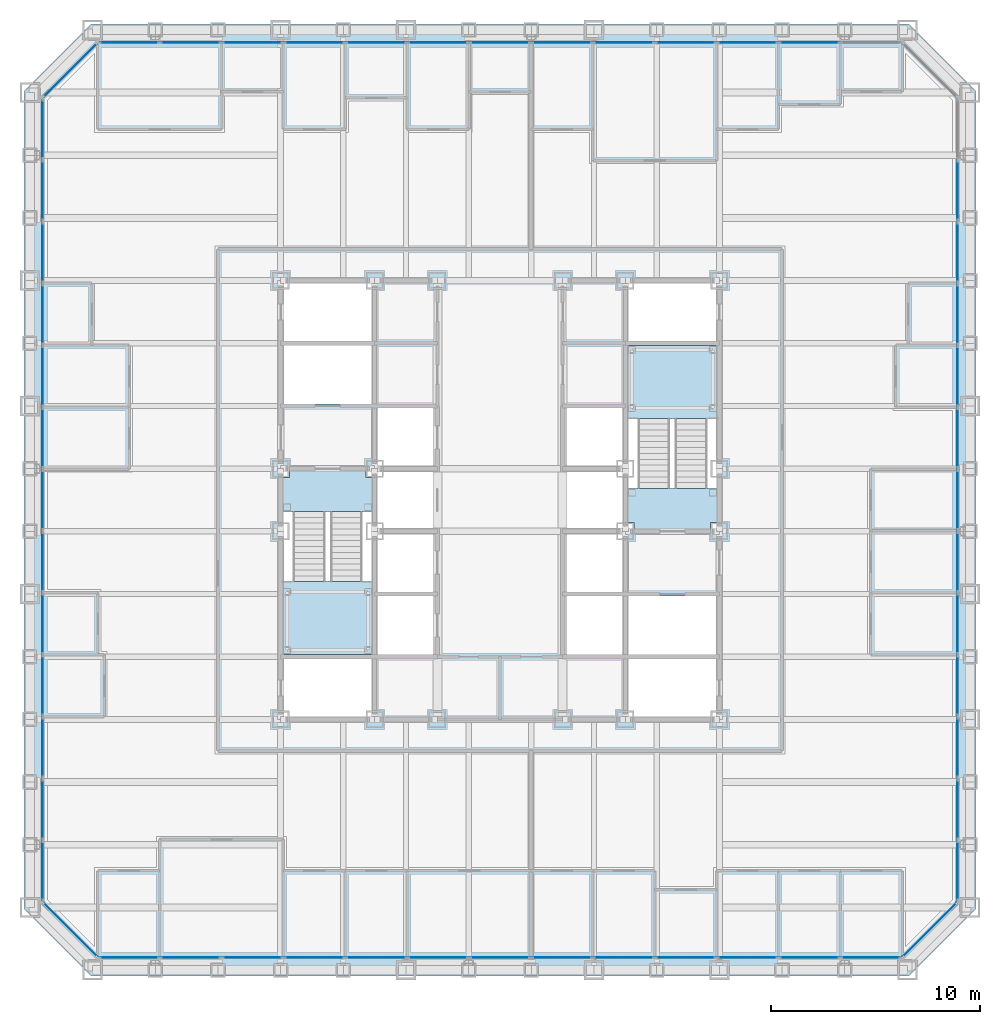
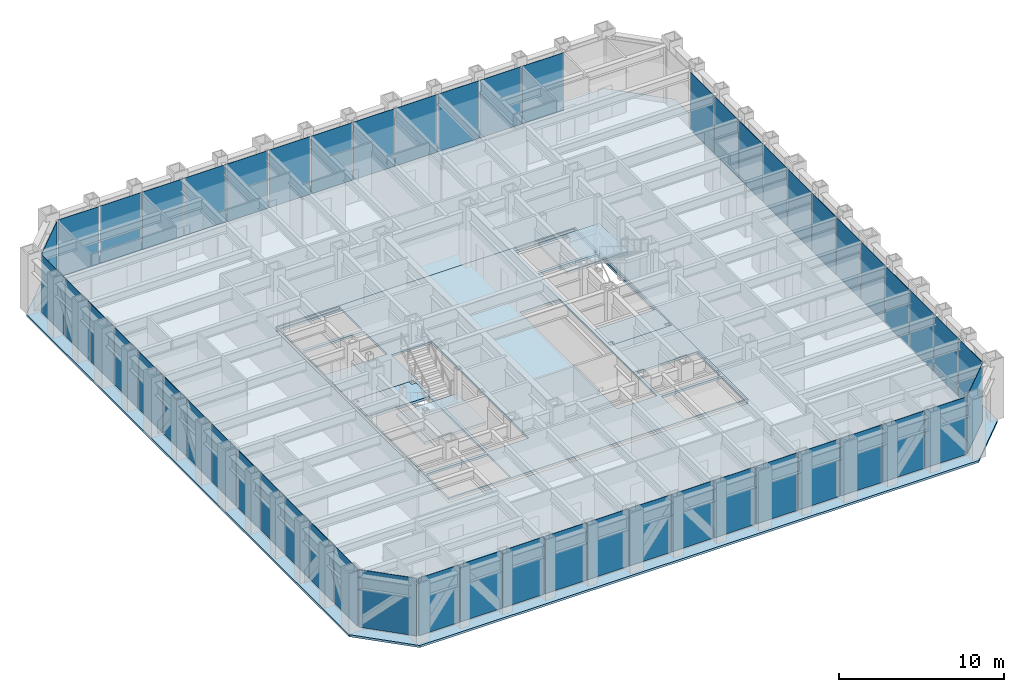
# One storey, part 7 of 16: 53 plates, 6 slabs, 9 elements without a shape of their own.
"""IFC4 building model written with IfcOpenShell, lengths in metres."""

from ifc_helpers import new_model, si_unit, direction, frame, origin, origin_2d, place, context, subcontext, project, spatial, polyline, rectangle, outline, extrude, material, layer, layer_set, type_object, element, aggregate, save


model = new_model("IFC4")

# Units and contexts
model_context = context("Model", 3, precision=1e-05, world=origin(), true_north=direction((0.0, 1.0)))
body_context = subcontext(model_context, "Body", "Model", "MODEL_VIEW")
ifc_project = project(units=[si_unit("LENGTHUNIT", "METRE"), si_unit("AREAUNIT", "SQUARE_METRE"), si_unit("VOLUMEUNIT", "CUBIC_METRE"), si_unit("PLANEANGLEUNIT", "RADIAN"), si_unit("MASSUNIT", "GRAM", prefix="KILO")], contexts=[model_context])

# Site, building, storey
site_placement = place(None, origin())
site = spatial("IfcSite", under=ifc_project, at=site_placement, CompositionType="ELEMENT")
building_placement = place(site_placement, origin())
building = spatial("IfcBuilding", under=site, at=building_placement, Name="Chuquiago Exchange Tower", CompositionType="ELEMENT")
storey_placement = place(building_placement, frame((0.0, 0.0, 51.300048828125)))
storey = spatial("IfcBuildingStorey", under=building, at=storey_placement, Name="L10", CompositionType="ELEMENT", Elevation=51.300048828125)

# Curtain wall, plates
ifc_material_1 = material(Name="Aluminium curtain wall system", Category="aluminium")
ifc_layer_1 = layer(ifc_material_1, 0.25)
ifc_layer_set_1 = layer_set([ifc_layer_1], Name="CW1 trading floor curtain wall")
curtain_wall_type_1 = type_object("IfcCurtainWallType", Name="CW1 trading floor curtain wall", PredefinedType="NOTDEFINED", material=ifc_layer_set_1)
curtain_wall_1_placement = place(storey_placement, origin())
curtain_wall_1 = element("IfcCurtainWall", 1, at=curtain_wall_1_placement, inside=storey, type_object=curtain_wall_type_1, Name="CW1 curtain wall L10", PredefinedType="NOTDEFINED")
ifc_material_2 = material(Name="Glass, insulating unit", Category="glass")
ifc_layer_2 = layer(ifc_material_2, 0.031982421875)
ifc_layer_set_2 = layer_set([ifc_layer_2], Name="CW1-P panel 32")
plate_type_1 = type_object("IfcPlateType", Name="CW1-P panel 32", PredefinedType="CURTAIN_PANEL", material=ifc_layer_set_2)
plate_1_placement = place(storey_placement, frame((10.65283203125, 0.60009765625, -0.22509765625), z_axis=(0.0, 0.0, 1.0), x_axis=(1.0, 0.0, 0.0)))
plate_1 = element("IfcPlate", 2, at=plate_1_placement, type_object=plate_type_1, Name="CW1 panel 3.1", PredefinedType="CURTAIN_PANEL", context=body_context, shape_type="SweptSolid", body=[
    extrude(rectangle(XDim=2.88671875, YDim=0.031982421875, at=origin_2d()), origin(), (0.0, 0.0, 1.0), 4.264892578125),
])
plate_2_placement = place(storey_placement, frame((13.61474609375, 0.60009765625, -0.22509765625), z_axis=(0.0, 0.0, 1.0), x_axis=(1.0, 0.0, 0.0)))
plate_2 = element("IfcPlate", 3, at=plate_2_placement, type_object=plate_type_1, Name="CW1 panel 4.1", PredefinedType="CURTAIN_PANEL", context=body_context, shape_type="SweptSolid", body=[
    extrude(rectangle(XDim=2.88671875, YDim=0.031982421875, at=origin_2d()), origin(), (0.0, 0.0, 1.0), 4.264892578125),
])
plate_3_placement = place(storey_placement, frame((16.576416015625, 0.60009765625, -0.22509765625), z_axis=(0.0, 0.0, 1.0), x_axis=(1.0, 0.0, 0.0)))
plate_3 = element("IfcPlate", 4, at=plate_3_placement, type_object=plate_type_1, Name="CW1 panel 5.1", PredefinedType="CURTAIN_PANEL", context=body_context, shape_type="SweptSolid", body=[
    extrude(rectangle(XDim=2.88671875, YDim=0.031982421875, at=origin_2d()), origin(), (0.0, 0.0, 1.0), 4.264892578125),
])
plate_4_placement = place(storey_placement, frame((25.461669921875, 0.60009765625, -0.22509765625), z_axis=(0.0, 0.0, 1.0), x_axis=(1.0, 0.0, 0.0)))
plate_4 = element("IfcPlate", 5, at=plate_4_placement, type_object=plate_type_1, Name="CW1 panel 8.1", PredefinedType="CURTAIN_PANEL", context=body_context, shape_type="SweptSolid", body=[
    extrude(rectangle(XDim=2.88671875, YDim=0.031982421875, at=origin_2d()), origin(), (0.0, 0.0, 1.0), 4.264892578125),
])
plate_5_placement = place(storey_placement, frame((28.423583984375, 0.60009765625, -0.22509765625), z_axis=(0.0, 0.0, 1.0), x_axis=(1.0, 0.0, 0.0)))
plate_5 = element("IfcPlate", 6, at=plate_5_placement, type_object=plate_type_1, Name="CW1 panel 9.1", PredefinedType="CURTAIN_PANEL", context=body_context, shape_type="SweptSolid", body=[
    extrude(rectangle(XDim=2.88671875, YDim=0.031982421875, at=origin_2d()), origin(), (0.0, 0.0, 1.0), 4.264892578125),
])
plate_6_placement = place(storey_placement, frame((31.38525390625, 0.60009765625, -0.22509765625), z_axis=(0.0, 0.0, 1.0), x_axis=(1.0, 0.0, 0.0)))
plate_6 = element("IfcPlate", 7, at=plate_6_placement, type_object=plate_type_1, Name="CW1 panel 10.1", PredefinedType="CURTAIN_PANEL", context=body_context, shape_type="SweptSolid", body=[
    extrude(rectangle(XDim=2.88671875, YDim=0.031982421875, at=origin_2d()), origin(), (0.0, 0.0, 1.0), 4.264892578125),
])
plate_7_placement = place(storey_placement, frame((34.34716796875, 0.60009765625, -0.22509765625), z_axis=(0.0, 0.0, 1.0), x_axis=(1.0, 0.0, 0.0)))
plate_7 = element("IfcPlate", 8, at=plate_7_placement, type_object=plate_type_1, Name="CW1 panel 11.1", PredefinedType="CURTAIN_PANEL", context=body_context, shape_type="SweptSolid", body=[
    extrude(rectangle(XDim=2.88671875, YDim=0.031982421875, at=origin_2d()), origin(), (0.0, 0.0, 1.0), 4.264892578125),
])

curtain_wall_2_placement = place(storey_placement, origin())
curtain_wall_2 = element("IfcCurtainWall", 9, at=curtain_wall_2_placement, inside=storey, type_object=curtain_wall_type_1, Name="CW1 curtain wall L10", PredefinedType="NOTDEFINED")
plate_8_placement = place(storey_placement, frame((44.39990234375, 10.65283203125, -0.22509765625), z_axis=(0.0, 0.0, 1.0), x_axis=(0.0, 1.0, 0.0)))
plate_8 = element("IfcPlate", 10, at=plate_8_placement, type_object=plate_type_1, Name="CW1 panel 3.1", PredefinedType="CURTAIN_PANEL", context=body_context, shape_type="SweptSolid", body=[
    extrude(rectangle(XDim=2.88671875, YDim=0.031982421875, at=origin_2d()), origin(), (0.0, 0.0, 1.0), 4.264892578125),
])
plate_9_placement = place(storey_placement, frame((44.39990234375, 13.61474609375, -0.22509765625), z_axis=(0.0, 0.0, 1.0), x_axis=(0.0, 1.0, 0.0)))
plate_9 = element("IfcPlate", 11, at=plate_9_placement, type_object=plate_type_1, Name="CW1 panel 4.1", PredefinedType="CURTAIN_PANEL", context=body_context, shape_type="SweptSolid", body=[
    extrude(rectangle(XDim=2.88671875, YDim=0.031982421875, at=origin_2d()), origin(), (0.0, 0.0, 1.0), 4.264892578125),
])
plate_10_placement = place(storey_placement, frame((44.39990234375, 16.576416015625, -0.22509765625), z_axis=(0.0, 0.0, 1.0), x_axis=(0.0, 1.0, 0.0)))
plate_10 = element("IfcPlate", 12, at=plate_10_placement, type_object=plate_type_1, Name="CW1 panel 5.1", PredefinedType="CURTAIN_PANEL", context=body_context, shape_type="SweptSolid", body=[
    extrude(rectangle(XDim=2.88671875, YDim=0.031982421875, at=origin_2d()), origin(), (0.0, 0.0, 1.0), 4.264892578125),
])
plate_11_placement = place(storey_placement, frame((44.39990234375, 25.461669921875, -0.22509765625), z_axis=(0.0, 0.0, 1.0), x_axis=(0.0, 1.0, 0.0)))
plate_11 = element("IfcPlate", 13, at=plate_11_placement, type_object=plate_type_1, Name="CW1 panel 8.1", PredefinedType="CURTAIN_PANEL", context=body_context, shape_type="SweptSolid", body=[
    extrude(rectangle(XDim=2.88671875, YDim=0.031982421875, at=origin_2d()), origin(), (0.0, 0.0, 1.0), 4.264892578125),
])
plate_12_placement = place(storey_placement, frame((44.39990234375, 28.423583984375, -0.22509765625), z_axis=(0.0, 0.0, 1.0), x_axis=(0.0, 1.0, 0.0)))
plate_12 = element("IfcPlate", 14, at=plate_12_placement, type_object=plate_type_1, Name="CW1 panel 9.1", PredefinedType="CURTAIN_PANEL", context=body_context, shape_type="SweptSolid", body=[
    extrude(rectangle(XDim=2.88671875, YDim=0.031982421875, at=origin_2d()), origin(), (0.0, 0.0, 1.0), 4.264892578125),
])
plate_13_placement = place(storey_placement, frame((44.39990234375, 31.38525390625, -0.22509765625), z_axis=(0.0, 0.0, 1.0), x_axis=(0.0, 1.0, 0.0)))
plate_13 = element("IfcPlate", 15, at=plate_13_placement, type_object=plate_type_1, Name="CW1 panel 10.1", PredefinedType="CURTAIN_PANEL", context=body_context, shape_type="SweptSolid", body=[
    extrude(rectangle(XDim=2.88671875, YDim=0.031982421875, at=origin_2d()), origin(), (0.0, 0.0, 1.0), 4.264892578125),
])
plate_14_placement = place(storey_placement, frame((44.39990234375, 34.34716796875, -0.22509765625), z_axis=(0.0, 0.0, 1.0), x_axis=(0.0, 1.0, 0.0)))
plate_14 = element("IfcPlate", 16, at=plate_14_placement, type_object=plate_type_1, Name="CW1 panel 11.1", PredefinedType="CURTAIN_PANEL", context=body_context, shape_type="SweptSolid", body=[
    extrude(rectangle(XDim=2.88671875, YDim=0.031982421875, at=origin_2d()), origin(), (0.0, 0.0, 1.0), 4.264892578125),
])

curtain_wall_3_placement = place(storey_placement, origin())
curtain_wall_3 = element("IfcCurtainWall", 17, at=curtain_wall_3_placement, inside=storey, type_object=curtain_wall_type_1, Name="CW1 curtain wall L10", PredefinedType="NOTDEFINED")
plate_15_placement = place(storey_placement, frame((34.34716796875, 44.39990234375, -0.22509765625), z_axis=(0.0, 0.0, 1.0), x_axis=(-1.0, 0.0, 0.0)))
plate_15 = element("IfcPlate", 18, at=plate_15_placement, type_object=plate_type_1, Name="CW1 panel 3.1", PredefinedType="CURTAIN_PANEL", context=body_context, shape_type="SweptSolid", body=[
    extrude(rectangle(XDim=2.88671875, YDim=0.031982421875, at=origin_2d()), origin(), (0.0, 0.0, 1.0), 4.264892578125),
])
plate_16_placement = place(storey_placement, frame((31.38525390625, 44.39990234375, -0.22509765625), z_axis=(0.0, 0.0, 1.0), x_axis=(-1.0, 0.0, 0.0)))
plate_16 = element("IfcPlate", 19, at=plate_16_placement, type_object=plate_type_1, Name="CW1 panel 4.1", PredefinedType="CURTAIN_PANEL", context=body_context, shape_type="SweptSolid", body=[
    extrude(rectangle(XDim=2.88671875, YDim=0.031982421875, at=origin_2d()), origin(), (0.0, 0.0, 1.0), 4.264892578125),
])
plate_17_placement = place(storey_placement, frame((28.423583984375, 44.39990234375, -0.22509765625), z_axis=(0.0, 0.0, 1.0), x_axis=(-1.0, 0.0, 0.0)))
plate_17 = element("IfcPlate", 20, at=plate_17_placement, type_object=plate_type_1, Name="CW1 panel 5.1", PredefinedType="CURTAIN_PANEL", context=body_context, shape_type="SweptSolid", body=[
    extrude(rectangle(XDim=2.88671875, YDim=0.031982421875, at=origin_2d()), origin(), (0.0, 0.0, 1.0), 4.264892578125),
])
plate_18_placement = place(storey_placement, frame((19.538330078125, 44.39990234375, -0.22509765625), z_axis=(0.0, 0.0, 1.0), x_axis=(-1.0, 0.0, 0.0)))
plate_18 = element("IfcPlate", 21, at=plate_18_placement, type_object=plate_type_1, Name="CW1 panel 8.1", PredefinedType="CURTAIN_PANEL", context=body_context, shape_type="SweptSolid", body=[
    extrude(rectangle(XDim=2.88671875, YDim=0.031982421875, at=origin_2d()), origin(), (0.0, 0.0, 1.0), 4.264892578125),
])
plate_19_placement = place(storey_placement, frame((16.576416015625, 44.39990234375, -0.22509765625), z_axis=(0.0, 0.0, 1.0), x_axis=(-1.0, 0.0, 0.0)))
plate_19 = element("IfcPlate", 22, at=plate_19_placement, type_object=plate_type_1, Name="CW1 panel 9.1", PredefinedType="CURTAIN_PANEL", context=body_context, shape_type="SweptSolid", body=[
    extrude(rectangle(XDim=2.88671875, YDim=0.031982421875, at=origin_2d()), origin(), (0.0, 0.0, 1.0), 4.264892578125),
])
plate_20_placement = place(storey_placement, frame((13.61474609375, 44.39990234375, -0.22509765625), z_axis=(0.0, 0.0, 1.0), x_axis=(-1.0, 0.0, 0.0)))
plate_20 = element("IfcPlate", 23, at=plate_20_placement, type_object=plate_type_1, Name="CW1 panel 10.1", PredefinedType="CURTAIN_PANEL", context=body_context, shape_type="SweptSolid", body=[
    extrude(rectangle(XDim=2.88671875, YDim=0.031982421875, at=origin_2d()), origin(), (0.0, 0.0, 1.0), 4.264892578125),
])
plate_21_placement = place(storey_placement, frame((10.65283203125, 44.39990234375, -0.22509765625), z_axis=(0.0, 0.0, 1.0), x_axis=(-1.0, 0.0, 0.0)))
plate_21 = element("IfcPlate", 24, at=plate_21_placement, type_object=plate_type_1, Name="CW1 panel 11.1", PredefinedType="CURTAIN_PANEL", context=body_context, shape_type="SweptSolid", body=[
    extrude(rectangle(XDim=2.88671875, YDim=0.031982421875, at=origin_2d()), origin(), (0.0, 0.0, 1.0), 4.264892578125),
])

curtain_wall_4_placement = place(storey_placement, origin())
curtain_wall_4 = element("IfcCurtainWall", 25, at=curtain_wall_4_placement, inside=storey, type_object=curtain_wall_type_1, Name="CW1 curtain wall L10", PredefinedType="NOTDEFINED")
plate_22_placement = place(storey_placement, frame((0.60009765625, 34.34716796875, -0.22509765625), z_axis=(0.0, 0.0, 1.0), x_axis=(0.0, -1.0, 0.0)))
plate_22 = element("IfcPlate", 26, at=plate_22_placement, type_object=plate_type_1, Name="CW1 panel 3.1", PredefinedType="CURTAIN_PANEL", context=body_context, shape_type="SweptSolid", body=[
    extrude(rectangle(XDim=2.88671875, YDim=0.031982421875, at=origin_2d()), origin(), (0.0, 0.0, 1.0), 4.264892578125),
])
plate_23_placement = place(storey_placement, frame((0.60009765625, 31.38525390625, -0.22509765625), z_axis=(0.0, 0.0, 1.0), x_axis=(0.0, -1.0, 0.0)))
plate_23 = element("IfcPlate", 27, at=plate_23_placement, type_object=plate_type_1, Name="CW1 panel 4.1", PredefinedType="CURTAIN_PANEL", context=body_context, shape_type="SweptSolid", body=[
    extrude(rectangle(XDim=2.88671875, YDim=0.031982421875, at=origin_2d()), origin(), (0.0, 0.0, 1.0), 4.264892578125),
])
plate_24_placement = place(storey_placement, frame((0.60009765625, 28.423583984375, -0.22509765625), z_axis=(0.0, 0.0, 1.0), x_axis=(0.0, -1.0, 0.0)))
plate_24 = element("IfcPlate", 28, at=plate_24_placement, type_object=plate_type_1, Name="CW1 panel 5.1", PredefinedType="CURTAIN_PANEL", context=body_context, shape_type="SweptSolid", body=[
    extrude(rectangle(XDim=2.88671875, YDim=0.031982421875, at=origin_2d()), origin(), (0.0, 0.0, 1.0), 4.264892578125),
])
plate_25_placement = place(storey_placement, frame((0.60009765625, 19.538330078125, -0.22509765625), z_axis=(0.0, 0.0, 1.0), x_axis=(0.0, -1.0, 0.0)))
plate_25 = element("IfcPlate", 29, at=plate_25_placement, type_object=plate_type_1, Name="CW1 panel 8.1", PredefinedType="CURTAIN_PANEL", context=body_context, shape_type="SweptSolid", body=[
    extrude(rectangle(XDim=2.88671875, YDim=0.031982421875, at=origin_2d()), origin(), (0.0, 0.0, 1.0), 4.264892578125),
])
plate_26_placement = place(storey_placement, frame((0.60009765625, 16.576416015625, -0.22509765625), z_axis=(0.0, 0.0, 1.0), x_axis=(0.0, -1.0, 0.0)))
plate_26 = element("IfcPlate", 30, at=plate_26_placement, type_object=plate_type_1, Name="CW1 panel 9.1", PredefinedType="CURTAIN_PANEL", context=body_context, shape_type="SweptSolid", body=[
    extrude(rectangle(XDim=2.88671875, YDim=0.031982421875, at=origin_2d()), origin(), (0.0, 0.0, 1.0), 4.264892578125),
])
plate_27_placement = place(storey_placement, frame((0.60009765625, 13.61474609375, -0.22509765625), z_axis=(0.0, 0.0, 1.0), x_axis=(0.0, -1.0, 0.0)))
plate_27 = element("IfcPlate", 31, at=plate_27_placement, type_object=plate_type_1, Name="CW1 panel 10.1", PredefinedType="CURTAIN_PANEL", context=body_context, shape_type="SweptSolid", body=[
    extrude(rectangle(XDim=2.88671875, YDim=0.031982421875, at=origin_2d()), origin(), (0.0, 0.0, 1.0), 4.264892578125),
])
plate_28_placement = place(storey_placement, frame((0.60009765625, 10.65283203125, -0.22509765625), z_axis=(0.0, 0.0, 1.0), x_axis=(0.0, -1.0, 0.0)))
plate_28 = element("IfcPlate", 32, at=plate_28_placement, type_object=plate_type_1, Name="CW1 panel 11.1", PredefinedType="CURTAIN_PANEL", context=body_context, shape_type="SweptSolid", body=[
    extrude(rectangle(XDim=2.88671875, YDim=0.031982421875, at=origin_2d()), origin(), (0.0, 0.0, 1.0), 4.264892578125),
])

# Plate
ifc_material_3 = material(Name="Insulated spandrel panel, pale anodised aluminium", Category="aluminium")
ifc_layer_3 = layer(ifc_material_3, 0.031982421875)
ifc_layer_set_3 = layer_set([ifc_layer_3], Name="CW1-P spandrel panel 32")
plate_type_2 = type_object("IfcPlateType", Name="CW1-P spandrel panel 32", PredefinedType="CURTAIN_PANEL", material=ifc_layer_set_3)
plate_29_placement = place(storey_placement, frame((4.748046875, 0.60009765625, -0.22509765625), z_axis=(0.0, 0.0, 1.0), x_axis=(1.0, 0.0, 0.0)))
plate_29 = element("IfcPlate", 33, at=plate_29_placement, type_object=plate_type_2, Name="CW1 panel 1.1", PredefinedType="CURTAIN_PANEL", context=body_context, shape_type="SweptSolid", body=[
    extrude(rectangle(XDim=2.849365234375, YDim=0.031982421875, at=origin_2d()), origin(), (0.0, 0.0, 1.0), 4.264892578125),
])

plate_30_placement = place(storey_placement, frame((7.691162109375, 0.60009765625, -0.22509765625), z_axis=(0.0, 0.0, 1.0), x_axis=(1.0, 0.0, 0.0)))
plate_30 = element("IfcPlate", 34, at=plate_30_placement, type_object=plate_type_2, Name="CW1 panel 2.1", PredefinedType="CURTAIN_PANEL", context=body_context, shape_type="SweptSolid", body=[
    extrude(rectangle(XDim=2.88671875, YDim=0.031982421875, at=origin_2d()), origin(), (0.0, 0.0, 1.0), 4.264892578125),
])

plate_31_placement = place(storey_placement, frame((19.538330078125, 0.60009765625, -0.22509765625), z_axis=(0.0, 0.0, 1.0), x_axis=(1.0, 0.0, 0.0)))
plate_31 = element("IfcPlate", 35, at=plate_31_placement, type_object=plate_type_2, Name="CW1 panel 6.1", PredefinedType="CURTAIN_PANEL", context=body_context, shape_type="SweptSolid", body=[
    extrude(rectangle(XDim=2.88671875, YDim=0.031982421875, at=origin_2d()), origin(), (0.0, 0.0, 1.0), 4.264892578125),
])

plate_32_placement = place(storey_placement, frame((22.5, 0.60009765625, -0.22509765625), z_axis=(0.0, 0.0, 1.0), x_axis=(1.0, 0.0, 0.0)))
plate_32 = element("IfcPlate", 36, at=plate_32_placement, type_object=plate_type_2, Name="CW1 panel 7.1", PredefinedType="CURTAIN_PANEL", context=body_context, shape_type="SweptSolid", body=[
    extrude(rectangle(XDim=2.88671875, YDim=0.031982421875, at=origin_2d()), origin(), (0.0, 0.0, 1.0), 4.264892578125),
])

plate_33_placement = place(storey_placement, frame((37.308837890625, 0.60009765625, -0.22509765625), z_axis=(0.0, 0.0, 1.0), x_axis=(1.0, 0.0, 0.0)))
plate_33 = element("IfcPlate", 37, at=plate_33_placement, type_object=plate_type_2, Name="CW1 panel 12.1", PredefinedType="CURTAIN_PANEL", context=body_context, shape_type="SweptSolid", body=[
    extrude(rectangle(XDim=2.88671875, YDim=0.031982421875, at=origin_2d()), origin(), (0.0, 0.0, 1.0), 4.264892578125),
])

plate_34_placement = place(storey_placement, frame((40.251953125, 0.60009765625, -0.22509765625), z_axis=(0.0, 0.0, 1.0), x_axis=(1.0, 0.0, 0.0)))
plate_34 = element("IfcPlate", 38, at=plate_34_placement, type_object=plate_type_2, Name="CW1 panel 13.1", PredefinedType="CURTAIN_PANEL", context=body_context, shape_type="SweptSolid", body=[
    extrude(rectangle(XDim=2.849365234375, YDim=0.031982421875, at=origin_2d()), origin(), (0.0, 0.0, 1.0), 4.264892578125),
])

aggregate(curtain_wall_1, [plate_29, plate_30, plate_1, plate_2, plate_3, plate_31, plate_32, plate_4, plate_5, plate_6, plate_7, plate_33, plate_34])

plate_35_placement = place(storey_placement, frame((44.39990234375, 4.748046875, -0.22509765625), z_axis=(0.0, 0.0, 1.0), x_axis=(0.0, 1.0, 0.0)))
plate_35 = element("IfcPlate", 39, at=plate_35_placement, type_object=plate_type_2, Name="CW1 panel 1.1", PredefinedType="CURTAIN_PANEL", context=body_context, shape_type="SweptSolid", body=[
    extrude(rectangle(XDim=2.849365234375, YDim=0.031982421875, at=origin_2d()), origin(), (0.0, 0.0, 1.0), 4.264892578125),
])

plate_36_placement = place(storey_placement, frame((44.39990234375, 7.691162109375, -0.22509765625), z_axis=(0.0, 0.0, 1.0), x_axis=(0.0, 1.0, 0.0)))
plate_36 = element("IfcPlate", 40, at=plate_36_placement, type_object=plate_type_2, Name="CW1 panel 2.1", PredefinedType="CURTAIN_PANEL", context=body_context, shape_type="SweptSolid", body=[
    extrude(rectangle(XDim=2.88671875, YDim=0.031982421875, at=origin_2d()), origin(), (0.0, 0.0, 1.0), 4.264892578125),
])

plate_37_placement = place(storey_placement, frame((44.39990234375, 19.538330078125, -0.22509765625), z_axis=(0.0, 0.0, 1.0), x_axis=(0.0, 1.0, 0.0)))
plate_37 = element("IfcPlate", 41, at=plate_37_placement, type_object=plate_type_2, Name="CW1 panel 6.1", PredefinedType="CURTAIN_PANEL", context=body_context, shape_type="SweptSolid", body=[
    extrude(rectangle(XDim=2.88671875, YDim=0.031982421875, at=origin_2d()), origin(), (0.0, 0.0, 1.0), 4.264892578125),
])

plate_38_placement = place(storey_placement, frame((44.39990234375, 22.5, -0.22509765625), z_axis=(0.0, 0.0, 1.0), x_axis=(0.0, 1.0, 0.0)))
plate_38 = element("IfcPlate", 42, at=plate_38_placement, type_object=plate_type_2, Name="CW1 panel 7.1", PredefinedType="CURTAIN_PANEL", context=body_context, shape_type="SweptSolid", body=[
    extrude(rectangle(XDim=2.88671875, YDim=0.031982421875, at=origin_2d()), origin(), (0.0, 0.0, 1.0), 4.264892578125),
])

plate_39_placement = place(storey_placement, frame((44.39990234375, 37.308837890625, -0.22509765625), z_axis=(0.0, 0.0, 1.0), x_axis=(0.0, 1.0, 0.0)))
plate_39 = element("IfcPlate", 43, at=plate_39_placement, type_object=plate_type_2, Name="CW1 panel 12.1", PredefinedType="CURTAIN_PANEL", context=body_context, shape_type="SweptSolid", body=[
    extrude(rectangle(XDim=2.88671875, YDim=0.031982421875, at=origin_2d()), origin(), (0.0, 0.0, 1.0), 4.264892578125),
])

aggregate(curtain_wall_2, [plate_35, plate_36, plate_8, plate_9, plate_10, plate_37, plate_38, plate_11, plate_12, plate_13, plate_14, plate_39])

plate_40_placement = place(storey_placement, frame((37.308837890625, 44.39990234375, -0.22509765625), z_axis=(0.0, 0.0, 1.0), x_axis=(-1.0, 0.0, 0.0)))
plate_40 = element("IfcPlate", 44, at=plate_40_placement, type_object=plate_type_2, Name="CW1 panel 2.1", PredefinedType="CURTAIN_PANEL", context=body_context, shape_type="SweptSolid", body=[
    extrude(rectangle(XDim=2.88671875, YDim=0.031982421875, at=origin_2d()), origin(), (0.0, 0.0, 1.0), 4.264892578125),
])

plate_41_placement = place(storey_placement, frame((25.461669921875, 44.39990234375, -0.22509765625), z_axis=(0.0, 0.0, 1.0), x_axis=(-1.0, 0.0, 0.0)))
plate_41 = element("IfcPlate", 45, at=plate_41_placement, type_object=plate_type_2, Name="CW1 panel 6.1", PredefinedType="CURTAIN_PANEL", context=body_context, shape_type="SweptSolid", body=[
    extrude(rectangle(XDim=2.88671875, YDim=0.031982421875, at=origin_2d()), origin(), (0.0, 0.0, 1.0), 4.264892578125),
])

plate_42_placement = place(storey_placement, frame((22.5, 44.39990234375, -0.22509765625), z_axis=(0.0, 0.0, 1.0), x_axis=(-1.0, 0.0, 0.0)))
plate_42 = element("IfcPlate", 46, at=plate_42_placement, type_object=plate_type_2, Name="CW1 panel 7.1", PredefinedType="CURTAIN_PANEL", context=body_context, shape_type="SweptSolid", body=[
    extrude(rectangle(XDim=2.88671875, YDim=0.031982421875, at=origin_2d()), origin(), (0.0, 0.0, 1.0), 4.264892578125),
])

plate_43_placement = place(storey_placement, frame((7.691162109375, 44.39990234375, -0.22509765625), z_axis=(0.0, 0.0, 1.0), x_axis=(-1.0, 0.0, 0.0)))
plate_43 = element("IfcPlate", 47, at=plate_43_placement, type_object=plate_type_2, Name="CW1 panel 12.1", PredefinedType="CURTAIN_PANEL", context=body_context, shape_type="SweptSolid", body=[
    extrude(rectangle(XDim=2.88671875, YDim=0.031982421875, at=origin_2d()), origin(), (0.0, 0.0, 1.0), 4.264892578125),
])

plate_44_placement = place(storey_placement, frame((4.748046875, 44.39990234375, -0.22509765625), z_axis=(0.0, 0.0, 1.0), x_axis=(-1.0, 0.0, 0.0)))
plate_44 = element("IfcPlate", 48, at=plate_44_placement, type_object=plate_type_2, Name="CW1 panel 13.1", PredefinedType="CURTAIN_PANEL", context=body_context, shape_type="SweptSolid", body=[
    extrude(rectangle(XDim=2.849365234375, YDim=0.031982421875, at=origin_2d()), origin(), (0.0, 0.0, 1.0), 4.264892578125),
])

aggregate(curtain_wall_3, [plate_40, plate_15, plate_16, plate_17, plate_41, plate_42, plate_18, plate_19, plate_20, plate_21, plate_43, plate_44])

plate_45_placement = place(storey_placement, frame((0.60009765625, 40.251953125, -0.22509765625), z_axis=(0.0, 0.0, 1.0), x_axis=(0.0, -1.0, 0.0)))
plate_45 = element("IfcPlate", 49, at=plate_45_placement, type_object=plate_type_2, Name="CW1 panel 1.1", PredefinedType="CURTAIN_PANEL", context=body_context, shape_type="SweptSolid", body=[
    extrude(rectangle(XDim=2.849365234375, YDim=0.031982421875, at=origin_2d()), origin(), (0.0, 0.0, 1.0), 4.264892578125),
])

plate_46_placement = place(storey_placement, frame((0.60009765625, 37.308837890625, -0.22509765625), z_axis=(0.0, 0.0, 1.0), x_axis=(0.0, -1.0, 0.0)))
plate_46 = element("IfcPlate", 50, at=plate_46_placement, type_object=plate_type_2, Name="CW1 panel 2.1", PredefinedType="CURTAIN_PANEL", context=body_context, shape_type="SweptSolid", body=[
    extrude(rectangle(XDim=2.88671875, YDim=0.031982421875, at=origin_2d()), origin(), (0.0, 0.0, 1.0), 4.264892578125),
])

plate_47_placement = place(storey_placement, frame((0.60009765625, 25.461669921875, -0.22509765625), z_axis=(0.0, 0.0, 1.0), x_axis=(0.0, -1.0, 0.0)))
plate_47 = element("IfcPlate", 51, at=plate_47_placement, type_object=plate_type_2, Name="CW1 panel 6.1", PredefinedType="CURTAIN_PANEL", context=body_context, shape_type="SweptSolid", body=[
    extrude(rectangle(XDim=2.88671875, YDim=0.031982421875, at=origin_2d()), origin(), (0.0, 0.0, 1.0), 4.264892578125),
])

plate_48_placement = place(storey_placement, frame((0.60009765625, 22.5, -0.22509765625), z_axis=(0.0, 0.0, 1.0), x_axis=(0.0, -1.0, 0.0)))
plate_48 = element("IfcPlate", 52, at=plate_48_placement, type_object=plate_type_2, Name="CW1 panel 7.1", PredefinedType="CURTAIN_PANEL", context=body_context, shape_type="SweptSolid", body=[
    extrude(rectangle(XDim=2.88671875, YDim=0.031982421875, at=origin_2d()), origin(), (0.0, 0.0, 1.0), 4.264892578125),
])

plate_49_placement = place(storey_placement, frame((0.60009765625, 7.691162109375, -0.22509765625), z_axis=(0.0, 0.0, 1.0), x_axis=(0.0, -1.0, 0.0)))
plate_49 = element("IfcPlate", 53, at=plate_49_placement, type_object=plate_type_2, Name="CW1 panel 12.1", PredefinedType="CURTAIN_PANEL", context=body_context, shape_type="SweptSolid", body=[
    extrude(rectangle(XDim=2.88671875, YDim=0.031982421875, at=origin_2d()), origin(), (0.0, 0.0, 1.0), 4.264892578125),
])

plate_50_placement = place(storey_placement, frame((0.60009765625, 4.748046875, -0.22509765625), z_axis=(0.0, 0.0, 1.0), x_axis=(0.0, -1.0, 0.0)))
plate_50 = element("IfcPlate", 54, at=plate_50_placement, type_object=plate_type_2, Name="CW1 panel 13.1", PredefinedType="CURTAIN_PANEL", context=body_context, shape_type="SweptSolid", body=[
    extrude(rectangle(XDim=2.849365234375, YDim=0.031982421875, at=origin_2d()), origin(), (0.0, 0.0, 1.0), 4.264892578125),
])

aggregate(curtain_wall_4, [plate_45, plate_46, plate_22, plate_23, plate_24, plate_47, plate_48, plate_25, plate_26, plate_27, plate_28, plate_49, plate_50])

# Curtain wall, plate
ifc_material_4 = material(Name="Aluminium curtain wall system", Category="aluminium")
ifc_layer_4 = layer(ifc_material_4, 0.199951171875)
ifc_layer_set_4 = layer_set([ifc_layer_4], Name="CW3 facet curtain wall")
curtain_wall_type_2 = type_object("IfcCurtainWallType", Name="CW3 facet curtain wall", PredefinedType="NOTDEFINED", material=ifc_layer_set_4)
curtain_wall_5_placement = place(storey_placement, origin())
curtain_wall_5 = element("IfcCurtainWall", 55, at=curtain_wall_5_placement, inside=storey, type_object=curtain_wall_type_2, Name="CW3 curtain wall L10", PredefinedType="NOTDEFINED")
ifc_material_5 = material(Name="Insulated spandrel panel, pale anodised aluminium", Category="aluminium")
ifc_layer_5 = layer(ifc_material_5, 0.030029296875)
ifc_layer_set_5 = layer_set([ifc_layer_5], Name="CW3-P spandrel panel 30")
plate_type_3 = type_object("IfcPlateType", Name="CW3-P spandrel panel 30", PredefinedType="CURTAIN_PANEL", material=ifc_layer_set_5)
plate_51_placement = place(storey_placement, frame((43.07568359375, 1.92431640625, -0.235107421875), z_axis=(0.0, 0.0, 1.0), x_axis=(0.707106781187, 0.707106781187, 0.0)))
plate_51 = element("IfcPlate", 56, at=plate_51_placement, type_object=plate_type_3, Name="CW3 panel 1.1", PredefinedType="CURTAIN_PANEL", context=body_context, shape_type="SweptSolid", body=[
    extrude(rectangle(XDim=3.615478515625, YDim=0.030029296875, at=origin_2d()), origin(), (0.0, 0.0, 1.0), 4.27490234375),
])
aggregate(curtain_wall_5, [plate_51])

curtain_wall_6_placement = place(storey_placement, origin())
curtain_wall_6 = element("IfcCurtainWall", 57, at=curtain_wall_6_placement, inside=storey, type_object=curtain_wall_type_2, Name="CW3 curtain wall L10", PredefinedType="NOTDEFINED")
plate_52_placement = place(storey_placement, frame((1.92431640625, 43.07568359375, -0.235107421875), z_axis=(0.0, 0.0, 1.0), x_axis=(-0.707106781187, -0.707106781187, 0.0)))
plate_52 = element("IfcPlate", 58, at=plate_52_placement, type_object=plate_type_3, Name="CW3 panel 1.1", PredefinedType="CURTAIN_PANEL", context=body_context, shape_type="SweptSolid", body=[
    extrude(rectangle(XDim=3.615478515625, YDim=0.030029296875, at=origin_2d()), origin(), (0.0, 0.0, 1.0), 4.27490234375),
])
aggregate(curtain_wall_6, [plate_52])

curtain_wall_7_placement = place(storey_placement, origin())
curtain_wall_7 = element("IfcCurtainWall", 59, at=curtain_wall_7_placement, inside=storey, type_object=curtain_wall_type_2, Name="CW3 curtain wall L10", PredefinedType="NOTDEFINED")
plate_53_placement = place(storey_placement, frame((1.92431640625, 1.92431640625, -0.235107421875), z_axis=(0.0, 0.0, 1.0), x_axis=(0.707106781187, -0.707106781187, 0.0)))
plate_53 = element("IfcPlate", 60, at=plate_53_placement, type_object=plate_type_3, Name="CW3 panel 1.1", PredefinedType="CURTAIN_PANEL", context=body_context, shape_type="SweptSolid", body=[
    extrude(rectangle(XDim=3.615478515625, YDim=0.030029296875, at=origin_2d()), origin(), (0.0, 0.0, 1.0), 4.27490234375),
])
aggregate(curtain_wall_7, [plate_53])

# Slabs
ifc_material_6 = material(Name="Concrete C30/37", Category="concrete")
ifc_layer_6 = layer(ifc_material_6, 0.159912109375)
ifc_layer_set_6 = layer_set([ifc_layer_6], Name="FS1 composite floor 160")
slab_type_1 = type_object("IfcSlabType", Name="FS1 composite floor 160", PredefinedType="FLOOR", material=ifc_layer_set_6)
slab_1_placement = place(storey_placement, frame((0.0, 0.0, -0.4599609375)))
element("IfcSlab", 61, at=slab_1_placement, inside=storey, type_object=slab_type_1, Name="L10 floor slab, lowered under the raised floor", PredefinedType="FLOOR", context=body_context, shape_type="SweptSolid", body=[
    extrude(outline(polyline([(-0.25, 2.896484375), (-0.25, 42.103515625), (2.896484375, 45.25), (42.103515625, 45.25), (45.25, 42.103515625), (45.25, 2.896484375), (42.103515625, -0.25), (2.896484375, -0.25), (-0.25, 2.896484375)]), holes=[polyline([(33.0, 33.0), (12.0, 33.0), (12.0, 12.0), (33.0, 12.0), (33.0, 33.0)])]), origin(), (0.0, 0.0, 1.0), 0.159912109375),
])
slab_2_placement = place(storey_placement, frame((0.0, 0.0, -0.16015625)))
element("IfcSlab", 62, at=slab_2_placement, inside=storey, type_object=slab_type_1, Name="L10 core floor slab", PredefinedType="FLOOR", context=body_context, shape_type="SweptSolid", body=[
    extrude(outline(polyline([(33.0, 12.0), (33.0, 33.0), (12.0, 33.0), (12.0, 12.0), (33.0, 12.0)]), holes=[polyline([(16.39990234375, 15.10009765625), (12.10009765625, 15.10009765625), (12.10009765625, 23.89990234375), (16.39990234375, 23.89990234375), (16.39990234375, 15.10009765625)]), polyline([(32.89990234375, 21.10009765625), (28.60009765625, 21.10009765625), (28.60009765625, 29.89990234375), (32.89990234375, 29.89990234375), (32.89990234375, 21.10009765625)]), polyline([(16.39990234375, 12.10009765625), (12.10009765625, 12.10009765625), (12.10009765625, 14.89990234375), (16.39990234375, 14.89990234375), (16.39990234375, 12.10009765625)]), polyline([(16.39990234375, 30.10009765625), (12.10009765625, 30.10009765625), (12.10009765625, 32.89990234375), (16.39990234375, 32.89990234375), (16.39990234375, 30.10009765625)]), polyline([(32.89990234375, 12.10009765625), (28.60009765625, 12.10009765625), (28.60009765625, 14.89990234375), (32.89990234375, 14.89990234375), (32.89990234375, 12.10009765625)]), polyline([(32.89990234375, 30.10009765625), (28.60009765625, 30.10009765625), (28.60009765625, 32.89990234375), (32.89990234375, 32.89990234375), (32.89990234375, 30.10009765625)]), polyline([(16.39990234375, 27.10009765625), (12.10009765625, 27.10009765625), (12.10009765625, 29.89990234375), (16.39990234375, 29.89990234375), (16.39990234375, 27.10009765625)]), polyline([(32.89990234375, 15.10009765625), (28.60009765625, 15.10009765625), (28.60009765625, 17.89990234375), (32.89990234375, 17.89990234375), (32.89990234375, 15.10009765625)]), polyline([(19.39990234375, 15.10009765625), (16.60009765625, 15.10009765625), (16.60009765625, 26.89990234375), (19.39990234375, 26.89990234375), (19.39990234375, 15.10009765625)]), polyline([(28.39990234375, 15.10009765625), (25.60009765625, 15.10009765625), (25.60009765625, 26.89990234375), (28.39990234375, 26.89990234375), (28.39990234375, 15.10009765625)])]), origin(), (0.0, 0.0, 1.0), 0.16015625),
])

# Stair, slabs
ifc_material_7 = material(Name="Concrete C30/37, precast", Category="concrete")
stair_type_1 = type_object("IfcStairType", Name="ST1 half-turn stair 4500", PredefinedType="HALF_TURN_STAIR", material=ifc_material_7)
stair_1_placement = place(storey_placement, origin())
stair_1 = element("IfcStair", 63, at=stair_1_placement, inside=storey, type_object=stair_type_1, Name="Stair ST1 L10", PredefinedType="HALF_TURN_STAIR")
ifc_material_8 = material(Name="Concrete C30/37, precast", Category="concrete")
ifc_layer_7 = layer(ifc_material_8, 0.199951171875)
ifc_layer_set_7 = layer_set([ifc_layer_7], Name="ST-L landing 200")
slab_type_2 = type_object("IfcSlabType", Name="ST-L landing 200", PredefinedType="LANDING", material=ifc_layer_set_7)
slab_3_placement = place(storey_placement, frame((0.0, 0.0, -0.199951171875)))
slab_3 = element("IfcSlab", 64, at=slab_3_placement, type_object=slab_type_2, Name="ST1 landing 1", PredefinedType="LANDING", context=body_context, shape_type="SweptSolid", body=[
    extrude(outline(polyline([(12.425048828125, 23.89990234375), (16.074951171875, 23.89990234375), (16.074951171875, 23.574951171875), (16.39990234375, 23.574951171875), (16.39990234375, 21.949951171875), (12.10009765625, 21.949951171875), (12.10009765625, 23.574951171875), (12.425048828125, 23.574951171875), (12.425048828125, 23.89990234375)])), origin(), (0.0, 0.0, 1.0), 0.199951171875),
])
slab_4_placement = place(storey_placement, frame((0.0, 0.0, 2.050048828125)))
slab_4 = element("IfcSlab", 65, at=slab_4_placement, type_object=slab_type_2, Name="ST1 landing 2", PredefinedType="LANDING", context=body_context, shape_type="SweptSolid", body=[
    extrude(outline(polyline([(12.10009765625, 18.590087890625), (16.39990234375, 18.590087890625), (16.39990234375, 15.10009765625), (12.10009765625, 15.10009765625), (12.10009765625, 18.590087890625)])), origin(), (0.0, 0.0, 1.0), 0.199951171875),
])
aggregate(stair_1, [slab_3, slab_4])

ifc_material_9 = material(Name="Concrete C30/37, precast", Category="concrete")
stair_type_2 = type_object("IfcStairType", Name="ST2 half-turn stair 4500", PredefinedType="HALF_TURN_STAIR", material=ifc_material_9)
stair_2_placement = place(storey_placement, origin())
stair_2 = element("IfcStair", 66, at=stair_2_placement, inside=storey, type_object=stair_type_2, Name="Stair ST2 L10", PredefinedType="HALF_TURN_STAIR")
slab_5_placement = place(storey_placement, frame((0.0, 0.0, -0.199951171875)))
slab_5 = element("IfcSlab", 67, at=slab_5_placement, type_object=slab_type_2, Name="ST2 landing 1", PredefinedType="LANDING", context=body_context, shape_type="SweptSolid", body=[
    extrude(outline(polyline([(32.574951171875, 21.425048828125), (32.574951171875, 21.10009765625), (28.925048828125, 21.10009765625), (28.925048828125, 21.425048828125), (28.60009765625, 21.425048828125), (28.60009765625, 23.050048828125), (32.89990234375, 23.050048828125), (32.89990234375, 21.425048828125), (32.574951171875, 21.425048828125)])), origin(), (0.0, 0.0, 1.0), 0.199951171875),
])
slab_6_placement = place(storey_placement, frame((0.0, 0.0, 2.050048828125)))
slab_6 = element("IfcSlab", 68, at=slab_6_placement, type_object=slab_type_2, Name="ST2 landing 2", PredefinedType="LANDING", context=body_context, shape_type="SweptSolid", body=[
    extrude(outline(polyline([(28.60009765625, 29.89990234375), (32.89990234375, 29.89990234375), (32.89990234375, 26.409912109375), (28.60009765625, 26.409912109375), (28.60009765625, 29.89990234375)])), origin(), (0.0, 0.0, 1.0), 0.199951171875),
])
aggregate(stair_2, [slab_5, slab_6])

save(model, "model.ifc")
